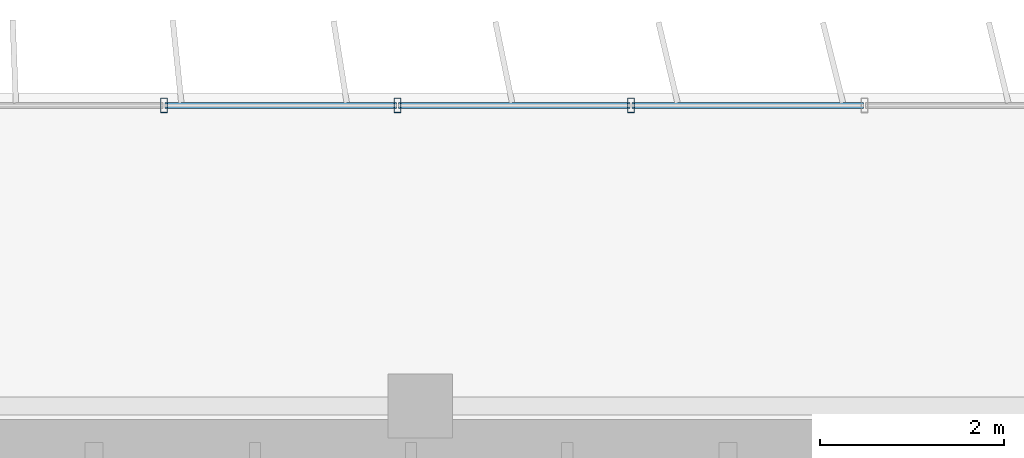
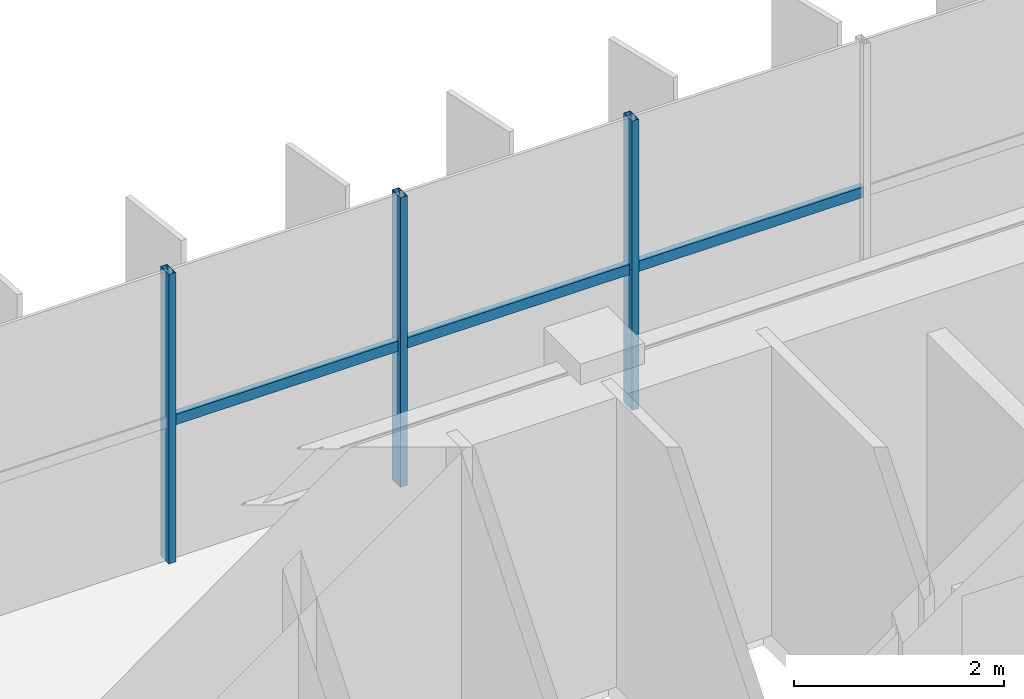
# One storey, part 15 of 27: 6 members, 1 element without a shape of its own.
"""IFC4 building model written with IfcOpenShell, lengths in metres."""

from ifc_helpers import new_model, si_unit, direction, frame, origin, origin_2d, place, context, subcontext, project, spatial, hollow_rectangle, extrude, source, transform, mapped, material, material_profile, profile_set, type_object, element, aggregate, save


model = new_model("IFC4")

# Units and contexts
model_context = context("Model", 3, precision=1e-05, world=origin(), true_north=direction((0.0, 1.0)))
body_context = subcontext(model_context, "Body", "Model", "MODEL_VIEW")
ifc_project = project(units=[si_unit("LENGTHUNIT", "METRE"), si_unit("AREAUNIT", "SQUARE_METRE"), si_unit("VOLUMEUNIT", "CUBIC_METRE"), si_unit("PLANEANGLEUNIT", "RADIAN"), si_unit("MASSUNIT", "GRAM", prefix="KILO")], contexts=[model_context])

# Site, building, storey
site_placement = place(None, origin())
site = spatial("IfcSite", under=ifc_project, at=site_placement, CompositionType="ELEMENT")
building_placement = place(site_placement, origin())
building = spatial("IfcBuilding", under=site, at=building_placement, Name="Trelvane Seafront Commons", CompositionType="ELEMENT")
storey_placement = place(building_placement, frame((0.0, 0.0, 233.699951171875)))
storey = spatial("IfcBuildingStorey", under=building, at=storey_placement, Name="L61", CompositionType="ELEMENT", Elevation=233.699951171875)

# Curtain wall, members
ifc_material = material(Name="Anodised pale-silver aluminium", Category="aluminium")
curtain_wall_type = type_object("IfcCurtainWallType", Name="ARCH-CW5-UPTOWER", PredefinedType="NOTDEFINED", material=ifc_material)
curtain_wall_placement = place(storey_placement, origin())
curtain_wall = element("IfcCurtainWall", 1, at=curtain_wall_placement, inside=storey, type_object=curtain_wall_type, Name="CW-L61-0104", PredefinedType="NOTDEFINED")
ifc_material_profile_1 = material_profile(ifc_material, hollow_rectangle(XDim=0.070068359375, YDim=0.1201171875, WallThickness=0.00390625, at=origin_2d()), Name="TRAN-70x120x4")
ifc_profile_set_1 = profile_set([ifc_material_profile_1], Name="Anodised pale-silver aluminium")
member_type_1 = type_object("IfcMemberType", Name="ARCH-CW-TRAN-120", PredefinedType="USERDEFINED", material=ifc_profile_set_1)
shared_shape_1 = source(origin(), body_context, "Body", "SweptSolid", [
    extrude(hollow_rectangle(XDim=0.070068359375, YDim=0.1201171875, WallThickness=0.00390625, at=origin_2d()), origin(), (0.0, 0.0, 1.0), 2.51708984375),
])
member_1_placement = place(storey_placement, frame((43.56494140625, 48.3701171875, 1.613037109375), z_axis=(1.0, 0.0, 0.0), x_axis=(0.0, 1.0, 0.0)))
member_1 = element("IfcMember", 2, at=member_1_placement, type_object=member_type_1, Name="CW-L61-0104-T11", ObjectType="TRANSOM", PredefinedType="USERDEFINED", context=body_context, shape_type="MappedRepresentation", body=[
    mapped(shared_shape_1, transform((0.0, 0.0, 0.0), x_axis=(1.0, 0.0, 0.0), y_axis=(0.0, 1.0, 0.0), z_axis=(0.0, 0.0, 1.0), scale=1.0)),
])
member_2_placement = place(storey_placement, frame((46.106201171875, 48.3701171875, 1.613037109375), z_axis=(1.0, 0.0, 0.0), x_axis=(0.0, 1.0, 0.0)))
member_2 = element("IfcMember", 3, at=member_2_placement, type_object=member_type_1, Name="CW-L61-0104-T12", ObjectType="TRANSOM", PredefinedType="USERDEFINED", context=body_context, shape_type="MappedRepresentation", body=[
    mapped(shared_shape_1, transform((0.0, 0.0, 0.0), x_axis=(1.0, 0.0, 0.0), y_axis=(0.0, 1.0, 0.0), z_axis=(0.0, 0.0, 1.0), scale=1.0)),
])
shared_shape_2 = source(origin(), body_context, "Body", "SweptSolid", [
    extrude(hollow_rectangle(XDim=0.070068359375, YDim=0.1201171875, WallThickness=0.00390625, at=origin_2d()), origin(), (0.0, 0.0, 1.0), 2.517333984375),
])
member_3_placement = place(storey_placement, frame((41.023681640625, 48.3701171875, 1.613037109375), z_axis=(1.0, 0.0, 0.0), x_axis=(0.0, 1.0, 0.0)))
member_3 = element("IfcMember", 4, at=member_3_placement, type_object=member_type_1, Name="CW-L61-0104-T10", ObjectType="TRANSOM", PredefinedType="USERDEFINED", context=body_context, shape_type="MappedRepresentation", body=[
    mapped(shared_shape_2, transform((0.0, 0.0, 0.0), x_axis=(1.0, 0.0, 0.0), y_axis=(0.0, 1.0, 0.0), z_axis=(0.0, 0.0, 1.0), scale=1.0)),
])
ifc_material_profile_2 = material_profile(ifc_material, hollow_rectangle(XDim=0.074951171875, YDim=0.159912109375, WallThickness=0.00390625, at=origin_2d()), Name="MULL-75x160x4")
ifc_profile_set_2 = profile_set([ifc_material_profile_2], Name="Anodised pale-silver aluminium")
member_type_2 = type_object("IfcMemberType", Name="ARCH-CW-MULL-160", PredefinedType="MULLION", material=ifc_profile_set_2)
shared_shape_3 = source(origin(), body_context, "Body", "SweptSolid", [
    extrude(hollow_rectangle(XDim=0.074951171875, YDim=0.159912109375, WallThickness=0.00390625, at=origin_2d()), origin(), (0.0, 0.0, 1.0), 3.360107421875),
])
member_4_placement = place(storey_placement, frame((41.01171875, 48.3701171875, 0.0), z_axis=(0.0, 0.0, 1.0), x_axis=(1.0, 0.0, 0.0)))
member_4 = element("IfcMember", 5, at=member_4_placement, type_object=member_type_2, Name="CW-L61-0104-M10", PredefinedType="MULLION", context=body_context, shape_type="MappedRepresentation", body=[
    mapped(shared_shape_3, transform((0.0, 0.0, 0.0), x_axis=(1.0, 0.0, 0.0), y_axis=(0.0, 1.0, 0.0), z_axis=(0.0, 0.0, 1.0), scale=1.0)),
])
member_5_placement = place(storey_placement, frame((43.552978515625, 48.3701171875, 0.0), z_axis=(0.0, 0.0, 1.0), x_axis=(1.0, 0.0, 0.0)))
member_5 = element("IfcMember", 6, at=member_5_placement, type_object=member_type_2, Name="CW-L61-0104-M11", PredefinedType="MULLION", context=body_context, shape_type="MappedRepresentation", body=[
    mapped(shared_shape_3, transform((0.0, 0.0, 0.0), x_axis=(1.0, 0.0, 0.0), y_axis=(0.0, 1.0, 0.0), z_axis=(0.0, 0.0, 1.0), scale=1.0)),
])
member_6_placement = place(storey_placement, frame((46.093994140625, 48.3701171875, 0.0), z_axis=(0.0, 0.0, 1.0), x_axis=(1.0, 0.0, 0.0)))
member_6 = element("IfcMember", 7, at=member_6_placement, type_object=member_type_2, Name="CW-L61-0104-M12", PredefinedType="MULLION", context=body_context, shape_type="MappedRepresentation", body=[
    mapped(shared_shape_3, transform((0.0, 0.0, 0.0), x_axis=(1.0, 0.0, 0.0), y_axis=(0.0, 1.0, 0.0), z_axis=(0.0, 0.0, 1.0), scale=1.0)),
])
aggregate(curtain_wall, [member_4, member_5, member_6, member_3, member_1, member_2])

save(model, "model.ifc")
